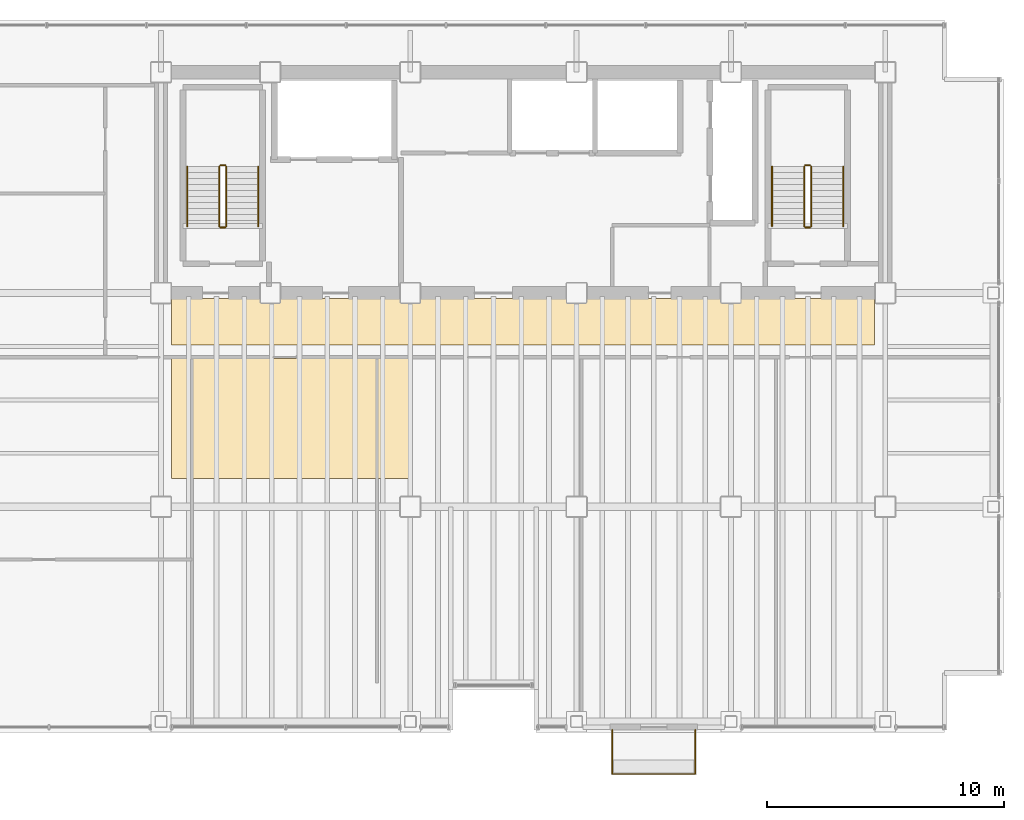
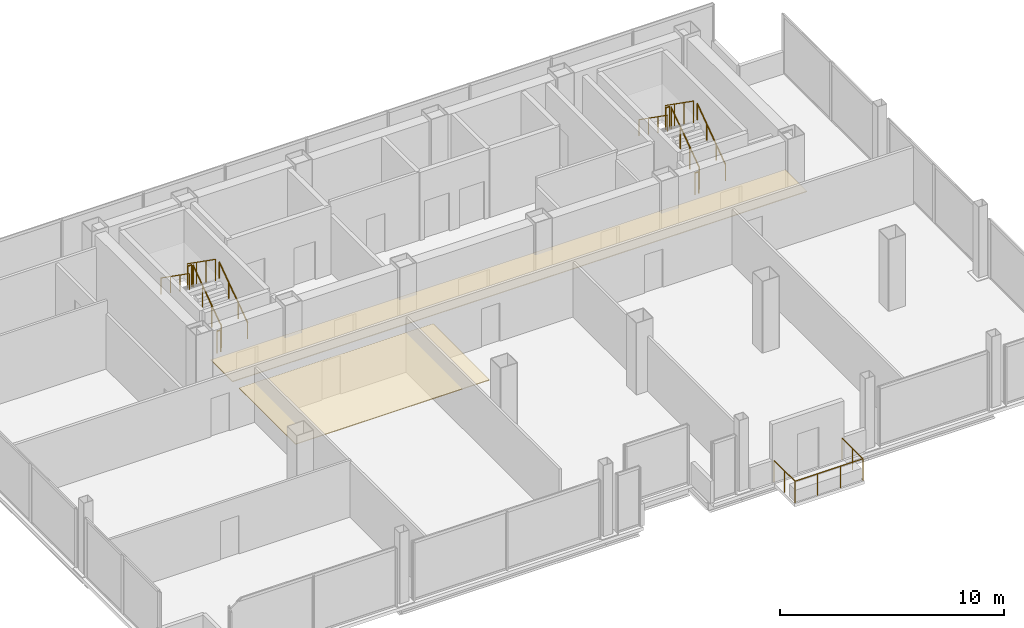
# One storey, part 20 of 20: 13 railings, 2 coverings.
"""IFC4 building model written with IfcOpenShell, lengths in metres."""

from ifc_helpers import new_model, si_unit, direction, frame, origin, origin_2d, place, context, subcontext, project, spatial, polyline, circle, outline, extrude, material, layer, layer_set, type_object, element, save


model = new_model("IFC4")

# Units and contexts
model_context = context("Model", 3, precision=1e-05, world=origin(), true_north=direction((0.0, 1.0)))
body_context = subcontext(model_context, "Body", "Model", "MODEL_VIEW")
ifc_project = project(units=[si_unit("LENGTHUNIT", "METRE"), si_unit("AREAUNIT", "SQUARE_METRE"), si_unit("VOLUMEUNIT", "CUBIC_METRE"), si_unit("PLANEANGLEUNIT", "RADIAN"), si_unit("MASSUNIT", "GRAM", prefix="KILO")], contexts=[model_context])

# Site, building, storey
site_placement = place(None, origin())
site = spatial("IfcSite", under=ifc_project, at=site_placement, CompositionType="ELEMENT")
building_placement = place(site_placement, origin())
building = spatial("IfcBuilding", under=site, at=building_placement, Name="Noeulbin Bourse Tower", CompositionType="ELEMENT")
storey_placement = place(building_placement, frame((0.0, 0.0, 122.699951171875)))
storey = spatial("IfcBuildingStorey", under=building, at=storey_placement, Name="L30", CompositionType="ELEMENT", Elevation=122.699951171875)

# Coverings
ifc_material_1 = material(Name="Perforated Mineral-Fibre Acoustic Tile")
ifc_layer_1 = layer(ifc_material_1, 0.0400390625)
ifc_layer_set_1 = layer_set([ifc_layer_1], Name="Perforated Mineral-Fibre Acoustic Tile")
covering_type = type_object("IfcCoveringType", Name="COV-CEIL-ACT", PredefinedType="CEILING", material=ifc_layer_set_1)
covering_1_placement = place(storey_placement, frame((0.0, 0.0, 2.110107421875)))
element("IfcCovering", 1, at=covering_1_placement, inside=storey, type_object=covering_type, Name="Corridor Suspended Ceiling L30", PredefinedType="CEILING", context=body_context, shape_type="SweptSolid", body=[
    extrude(outline(polyline([(13.949951171875, 26.820068359375), (43.550048828125, 26.820068359375), (43.550048828125, 28.780029296875), (13.949951171875, 28.780029296875), (13.949951171875, 26.820068359375)])), origin(), (0.0, 0.0, 1.0), 0.0400390625),
])
covering_2_placement = place(storey_placement, frame((0.0, 0.0, 2.110107421875)))
element("IfcCovering", 2, at=covering_2_placement, inside=storey, type_object=covering_type, Name="Trading Suite Acoustic Ceiling L30", PredefinedType="CEILING", context=body_context, shape_type="SweptSolid", body=[
    extrude(outline(polyline([(13.949951171875, 21.199951171875), (23.949951171875, 21.199951171875), (23.949951171875, 26.25), (13.949951171875, 26.25), (13.949951171875, 21.199951171875)])), origin(), (0.0, 0.0, 1.0), 0.0400390625),
])

# Railings
ifc_material_2 = material(Name="Laminated SentryGlas and Stainless Steel 316", Category="steel")
ifc_layer_2 = layer(ifc_material_2, 0.06005859375)
ifc_layer_set_2 = layer_set([ifc_layer_2], Name="Laminated SentryGlas and Stainless Steel 316")
railing_type_1 = type_object("IfcRailingType", Name="RLG-BAL-1200", PredefinedType="BALUSTRADE", material=ifc_layer_set_2)
railing_1_placement = place(storey_placement, frame((32.5, 10.6201171875, 0.0)))
element("IfcRailing", 3, at=railing_1_placement, inside=storey, type_object=railing_type_1, Name="Tree-Balcony Glazed Balustrade L30", PredefinedType="BALUSTRADE", context=body_context, shape_type="SweptSolid", body=[
    extrude(circle(Radius=0.02392578125, at=origin_2d()), frame((0.0, 0.0, 1.17578125), z_axis=(0.0, -1.0, 0.0), x_axis=(1.0, 0.0, 0.0)), (0.0, 0.0, 1.0), 1.8701171875),
    extrude(circle(Radius=0.02392578125, at=origin_2d()), frame((0.0, -1.8701171875, 1.17578125), z_axis=(1.0, 0.0, 0.0), x_axis=(0.0, 1.0, 0.0)), (0.0, 0.0, 1.0), 3.5),
    extrude(circle(Radius=0.02392578125, at=origin_2d()), frame((3.5, -1.8701171875, 1.17578125), z_axis=(0.0, 1.0, 0.0), x_axis=(-1.0, 0.0, 0.0)), (0.0, 0.0, 1.0), 1.8701171875),
    extrude(circle(Radius=0.02099609375, at=origin_2d()), origin(), (0.0, 0.0, 1.0), 1.15185546875),
    extrude(circle(Radius=0.02099609375, at=origin_2d()), frame((0.0, -0.93505859375, 0.0)), (0.0, 0.0, 1.0), 1.15185546875),
    extrude(circle(Radius=0.02099609375, at=origin_2d()), frame((0.0, -1.8701171875, 0.0)), (0.0, 0.0, 1.0), 1.15185546875),
    extrude(circle(Radius=0.02099609375, at=origin_2d()), frame((1.166748046875, -1.8701171875, 0.0)), (0.0, 0.0, 1.0), 1.15185546875),
    extrude(circle(Radius=0.02099609375, at=origin_2d()), frame((2.333251953125, -1.8701171875, 0.0)), (0.0, 0.0, 1.0), 1.15185546875),
    extrude(circle(Radius=0.02099609375, at=origin_2d()), frame((3.5, -1.8701171875, 0.0)), (0.0, 0.0, 1.0), 1.15185546875),
    extrude(circle(Radius=0.02099609375, at=origin_2d()), frame((3.5, -0.93505859375, 0.0)), (0.0, 0.0, 1.0), 1.15185546875),
    extrude(circle(Radius=0.02099609375, at=origin_2d()), frame((3.5, 0.0, 0.0)), (0.0, 0.0, 1.0), 1.15185546875),
])
ifc_material_3 = material(Name="Painted Tubular Steel S355", Category="steel")
ifc_layer_3 = layer(ifc_material_3, 0.048095703125)
ifc_layer_set_3 = layer_set([ifc_layer_3], Name="Painted Tubular Steel S355")
railing_type_2 = type_object("IfcRailingType", Name="RLG-STR-GRD", PredefinedType="GUARDRAIL", material=ifc_layer_set_3)
railing_2_placement = place(storey_placement, frame((16.25, 31.81005859375, 0.17724609375)))
element("IfcRailing", 4, at=railing_2_placement, inside=storey, type_object=railing_type_2, Name="L30 ST-1 stair guard 1", PredefinedType="GUARDRAIL", context=body_context, shape_type="SweptSolid", body=[
    extrude(circle(Radius=0.02392578125, at=origin_2d()), frame((0.0, 0.0, 1.17578125), z_axis=(0.0, 0.817904474719, 0.575354039036), x_axis=(-1.0, 0.0, 0.0)), (0.0, 0.0, 1.0), 3.0810546875),
    extrude(circle(Radius=0.02099609375, at=origin_2d()), origin(), (0.0, 0.0, 1.0), 1.15185546875),
    extrude(circle(Radius=0.02099609375, at=origin_2d()), frame((0.0, 0.840087890625, 0.5908203125)), (0.0, 0.0, 1.0), 1.15185546875),
    extrude(circle(Radius=0.02099609375, at=origin_2d()), frame((0.0, 1.679931640625, 1.181884765625)), (0.0, 0.0, 1.0), 1.15185546875),
    extrude(circle(Radius=0.02099609375, at=origin_2d()), frame((0.0, 2.52001953125, 1.772705078125)), (0.0, 0.0, 1.0), 1.15185546875),
])
railing_3_placement = place(storey_placement, frame((16.199951171875, 34.3798828125, 1.949951171875)))
element("IfcRailing", 5, at=railing_3_placement, inside=storey, type_object=railing_type_2, Name="L30 ST-1 stair guard 2", PredefinedType="GUARDRAIL", context=body_context, shape_type="SweptSolid", body=[
    extrude(circle(Radius=0.02392578125, at=origin_2d()), frame((0.0, 0.0, 1.17578125), z_axis=(-1.0, 0.0, 0.0), x_axis=(0.0, -1.0, 0.0)), (0.0, 0.0, 1.0), 0.199951171875),
    extrude(circle(Radius=0.02099609375, at=origin_2d()), origin(), (0.0, 0.0, 1.0), 1.15185546875),
    extrude(circle(Radius=0.02099609375, at=origin_2d()), frame((-0.199951171875, 0.0, 0.0)), (0.0, 0.0, 1.0), 1.15185546875),
])
railing_4_placement = place(storey_placement, frame((15.949951171875, 34.330078125, 2.12744140625)))
element("IfcRailing", 6, at=railing_4_placement, inside=storey, type_object=railing_type_2, Name="L30 ST-1 stair guard 3", PredefinedType="GUARDRAIL", context=body_context, shape_type="SweptSolid", body=[
    extrude(circle(Radius=0.02392578125, at=origin_2d()), frame((0.0, 0.0, 1.17578125), z_axis=(0.0, -0.817904474719, 0.575354039036), x_axis=(1.0, 0.0, 0.0)), (0.0, 0.0, 1.0), 3.0810546875),
    extrude(circle(Radius=0.02099609375, at=origin_2d()), origin(), (0.0, 0.0, 1.0), 1.15185546875),
    extrude(circle(Radius=0.02099609375, at=origin_2d()), frame((0.0, -0.840087890625, 0.5908203125)), (0.0, 0.0, 1.0), 1.15185546875),
    extrude(circle(Radius=0.02099609375, at=origin_2d()), frame((0.0, -1.679931640625, 1.181884765625)), (0.0, 0.0, 1.0), 1.15185546875),
    extrude(circle(Radius=0.02099609375, at=origin_2d()), frame((0.0, -2.52001953125, 1.772705078125)), (0.0, 0.0, 1.0), 1.15185546875),
])
railing_5_placement = place(storey_placement, frame((16.199951171875, 31.760009765625, 0.0)))
element("IfcRailing", 7, at=railing_5_placement, inside=storey, type_object=railing_type_2, Name="L30 ST-1 stair guard 4", PredefinedType="GUARDRAIL", context=body_context, shape_type="SweptSolid", body=[
    extrude(circle(Radius=0.02392578125, at=origin_2d()), frame((0.0, 0.0, 1.17578125), z_axis=(-1.0, 0.0, 0.0), x_axis=(0.0, -1.0, 0.0)), (0.0, 0.0, 1.0), 0.199951171875),
    extrude(circle(Radius=0.02099609375, at=origin_2d()), origin(), (0.0, 0.0, 1.0), 1.15185546875),
    extrude(circle(Radius=0.02099609375, at=origin_2d()), frame((-0.199951171875, 0.0, 0.0)), (0.0, 0.0, 1.0), 1.15185546875),
])
railing_6_placement = place(storey_placement, frame((40.8798828125, 31.81005859375, 0.17724609375)))
element("IfcRailing", 8, at=railing_6_placement, inside=storey, type_object=railing_type_2, Name="L30 ST-2 stair guard 1", PredefinedType="GUARDRAIL", context=body_context, shape_type="SweptSolid", body=[
    extrude(circle(Radius=0.02392578125, at=origin_2d()), frame((0.0, 0.0, 1.17578125), z_axis=(0.0, 0.817904474719, 0.575354039036), x_axis=(-1.0, 0.0, 0.0)), (0.0, 0.0, 1.0), 3.0810546875),
    extrude(circle(Radius=0.02099609375, at=origin_2d()), origin(), (0.0, 0.0, 1.0), 1.15185546875),
    extrude(circle(Radius=0.02099609375, at=origin_2d()), frame((0.0, 0.840087890625, 0.5908203125)), (0.0, 0.0, 1.0), 1.15185546875),
    extrude(circle(Radius=0.02099609375, at=origin_2d()), frame((0.0, 1.679931640625, 1.181884765625)), (0.0, 0.0, 1.0), 1.15185546875),
    extrude(circle(Radius=0.02099609375, at=origin_2d()), frame((0.0, 2.52001953125, 1.772705078125)), (0.0, 0.0, 1.0), 1.15185546875),
])
railing_7_placement = place(storey_placement, frame((40.830078125, 34.3798828125, 1.949951171875)))
element("IfcRailing", 9, at=railing_7_placement, inside=storey, type_object=railing_type_2, Name="L30 ST-2 stair guard 2", PredefinedType="GUARDRAIL", context=body_context, shape_type="SweptSolid", body=[
    extrude(circle(Radius=0.02392578125, at=origin_2d()), frame((0.0, 0.0, 1.17578125), z_axis=(-1.0, 0.0, 0.0), x_axis=(0.0, -1.0, 0.0)), (0.0, 0.0, 1.0), 0.2001953125),
    extrude(circle(Radius=0.02099609375, at=origin_2d()), origin(), (0.0, 0.0, 1.0), 1.15185546875),
    extrude(circle(Radius=0.02099609375, at=origin_2d()), frame((-0.2001953125, 0.0, 0.0)), (0.0, 0.0, 1.0), 1.15185546875),
])
railing_8_placement = place(storey_placement, frame((40.580078125, 34.330078125, 2.12744140625)))
element("IfcRailing", 10, at=railing_8_placement, inside=storey, type_object=railing_type_2, Name="L30 ST-2 stair guard 3", PredefinedType="GUARDRAIL", context=body_context, shape_type="SweptSolid", body=[
    extrude(circle(Radius=0.02392578125, at=origin_2d()), frame((0.0, 0.0, 1.17578125), z_axis=(0.0, -0.817904474719, 0.575354039036), x_axis=(1.0, 0.0, 0.0)), (0.0, 0.0, 1.0), 3.0810546875),
    extrude(circle(Radius=0.02099609375, at=origin_2d()), origin(), (0.0, 0.0, 1.0), 1.15185546875),
    extrude(circle(Radius=0.02099609375, at=origin_2d()), frame((0.0, -0.840087890625, 0.5908203125)), (0.0, 0.0, 1.0), 1.15185546875),
    extrude(circle(Radius=0.02099609375, at=origin_2d()), frame((0.0, -1.679931640625, 1.181884765625)), (0.0, 0.0, 1.0), 1.15185546875),
    extrude(circle(Radius=0.02099609375, at=origin_2d()), frame((0.0, -2.52001953125, 1.772705078125)), (0.0, 0.0, 1.0), 1.15185546875),
])
railing_9_placement = place(storey_placement, frame((40.830078125, 31.760009765625, 0.0)))
element("IfcRailing", 11, at=railing_9_placement, inside=storey, type_object=railing_type_2, Name="L30 ST-2 stair guard 4", PredefinedType="GUARDRAIL", context=body_context, shape_type="SweptSolid", body=[
    extrude(circle(Radius=0.02392578125, at=origin_2d()), frame((0.0, 0.0, 1.17578125), z_axis=(-1.0, 0.0, 0.0), x_axis=(0.0, -1.0, 0.0)), (0.0, 0.0, 1.0), 0.2001953125),
    extrude(circle(Radius=0.02099609375, at=origin_2d()), origin(), (0.0, 0.0, 1.0), 1.15185546875),
    extrude(circle(Radius=0.02099609375, at=origin_2d()), frame((-0.2001953125, 0.0, 0.0)), (0.0, 0.0, 1.0), 1.15185546875),
])
ifc_material_4 = material(Name="Brushed Stainless Steel 316", Category="steel")
ifc_layer_4 = layer(ifc_material_4, 0.048095703125)
ifc_layer_set_4 = layer_set([ifc_layer_4], Name="Brushed Stainless Steel 316")
railing_type_3 = type_object("IfcRailingType", Name="RLG-STR-HND", PredefinedType="HANDRAIL", material=ifc_layer_set_4)
railing_10_placement = place(storey_placement, frame((17.60009765625, 31.81005859375, 0.17724609375)))
element("IfcRailing", 12, at=railing_10_placement, inside=storey, type_object=railing_type_3, Name="L30 ST-1 stair handrail 1", PredefinedType="HANDRAIL", context=body_context, shape_type="SweptSolid", body=[
    extrude(circle(Radius=0.02392578125, at=origin_2d()), frame((0.0, 0.0, 0.8759765625), z_axis=(0.0, 0.817904474719, 0.575354039036), x_axis=(-1.0, 0.0, 0.0)), (0.0, 0.0, 1.0), 3.0810546875),
    extrude(circle(Radius=0.02099609375, at=origin_2d()), origin(), (0.0, 0.0, 1.0), 0.851806640625),
    extrude(circle(Radius=0.02099609375, at=origin_2d()), frame((0.0, 0.840087890625, 0.5908203125)), (0.0, 0.0, 1.0), 0.851806640625),
    extrude(circle(Radius=0.02099609375, at=origin_2d()), frame((0.0, 1.679931640625, 1.181884765625)), (0.0, 0.0, 1.0), 0.851806640625),
    extrude(circle(Radius=0.02099609375, at=origin_2d()), frame((0.0, 2.52001953125, 1.772705078125)), (0.0, 0.0, 1.0), 0.851806640625),
])
railing_11_placement = place(storey_placement, frame((14.60009765625, 34.330078125, 2.12744140625)))
element("IfcRailing", 13, at=railing_11_placement, inside=storey, type_object=railing_type_3, Name="L30 ST-1 stair handrail 2", PredefinedType="HANDRAIL", context=body_context, shape_type="SweptSolid", body=[
    extrude(circle(Radius=0.02392578125, at=origin_2d()), frame((0.0, 0.0, 0.8759765625), z_axis=(0.0, -0.817904474719, 0.575354039036), x_axis=(1.0, 0.0, 0.0)), (0.0, 0.0, 1.0), 3.0810546875),
    extrude(circle(Radius=0.02099609375, at=origin_2d()), origin(), (0.0, 0.0, 1.0), 0.851806640625),
    extrude(circle(Radius=0.02099609375, at=origin_2d()), frame((0.0, -0.840087890625, 0.5908203125)), (0.0, 0.0, 1.0), 0.851806640625),
    extrude(circle(Radius=0.02099609375, at=origin_2d()), frame((0.0, -1.679931640625, 1.181884765625)), (0.0, 0.0, 1.0), 0.851806640625),
    extrude(circle(Radius=0.02099609375, at=origin_2d()), frame((0.0, -2.52001953125, 1.772705078125)), (0.0, 0.0, 1.0), 0.851806640625),
])
railing_12_placement = place(storey_placement, frame((42.22998046875, 31.81005859375, 0.17724609375)))
element("IfcRailing", 14, at=railing_12_placement, inside=storey, type_object=railing_type_3, Name="L30 ST-2 stair handrail 1", PredefinedType="HANDRAIL", context=body_context, shape_type="SweptSolid", body=[
    extrude(circle(Radius=0.02392578125, at=origin_2d()), frame((0.0, 0.0, 0.8759765625), z_axis=(0.0, 0.817904474719, 0.575354039036), x_axis=(-1.0, 0.0, 0.0)), (0.0, 0.0, 1.0), 3.0810546875),
    extrude(circle(Radius=0.02099609375, at=origin_2d()), origin(), (0.0, 0.0, 1.0), 0.851806640625),
    extrude(circle(Radius=0.02099609375, at=origin_2d()), frame((0.0, 0.840087890625, 0.5908203125)), (0.0, 0.0, 1.0), 0.851806640625),
    extrude(circle(Radius=0.02099609375, at=origin_2d()), frame((0.0, 1.679931640625, 1.181884765625)), (0.0, 0.0, 1.0), 0.851806640625),
    extrude(circle(Radius=0.02099609375, at=origin_2d()), frame((0.0, 2.52001953125, 1.772705078125)), (0.0, 0.0, 1.0), 0.851806640625),
])
railing_13_placement = place(storey_placement, frame((39.22998046875, 34.330078125, 2.12744140625)))
element("IfcRailing", 15, at=railing_13_placement, inside=storey, type_object=railing_type_3, Name="L30 ST-2 stair handrail 2", PredefinedType="HANDRAIL", context=body_context, shape_type="SweptSolid", body=[
    extrude(circle(Radius=0.02392578125, at=origin_2d()), frame((0.0, 0.0, 0.8759765625), z_axis=(0.0, -0.817904474719, 0.575354039036), x_axis=(1.0, 0.0, 0.0)), (0.0, 0.0, 1.0), 3.0810546875),
    extrude(circle(Radius=0.02099609375, at=origin_2d()), origin(), (0.0, 0.0, 1.0), 0.851806640625),
    extrude(circle(Radius=0.02099609375, at=origin_2d()), frame((0.0, -0.840087890625, 0.5908203125)), (0.0, 0.0, 1.0), 0.851806640625),
    extrude(circle(Radius=0.02099609375, at=origin_2d()), frame((0.0, -1.679931640625, 1.181884765625)), (0.0, 0.0, 1.0), 0.851806640625),
    extrude(circle(Radius=0.02099609375, at=origin_2d()), frame((0.0, -2.52001953125, 1.772705078125)), (0.0, 0.0, 1.0), 0.851806640625),
])

save(model, "model.ifc")
